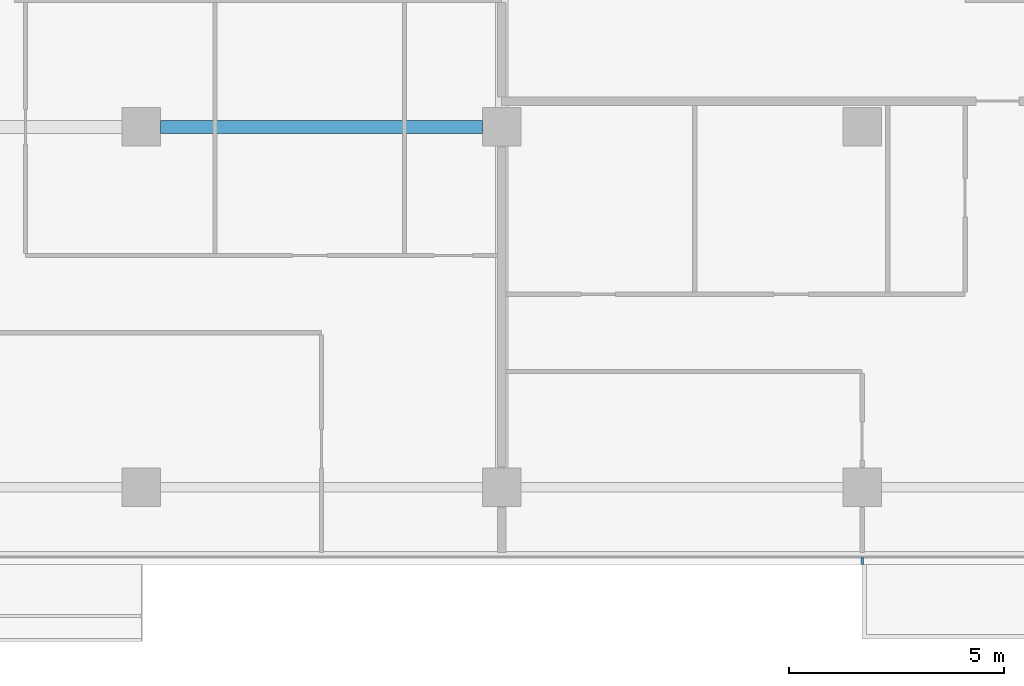
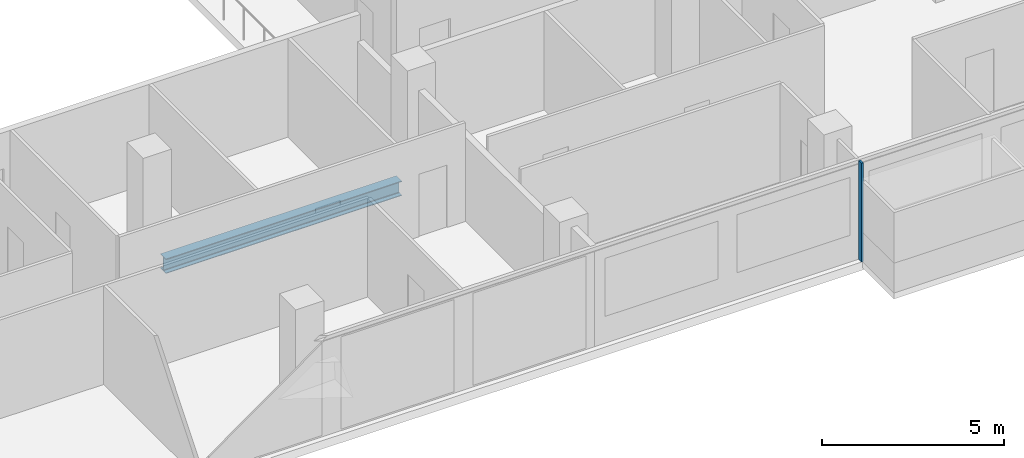
# One storey, part 6 of 26: 1 beam, 1 member, 1 element without a shape of its own.
"""IFC4 building model written with IfcOpenShell, lengths in metres."""

from ifc_helpers import new_model, si_unit, direction, frame, origin, origin_2d, place, context, subcontext, project, spatial, rectangle, i_section, extrude, material, material_profile, profile_set, type_object, element, aggregate, save


model = new_model("IFC4")

# Units and contexts
model_context = context("Model", 3, precision=1e-05, world=origin(), true_north=direction((0.0, 1.0)))
body_context = subcontext(model_context, "Body", "Model", "MODEL_VIEW")
ifc_project = project(units=[si_unit("LENGTHUNIT", "METRE"), si_unit("AREAUNIT", "SQUARE_METRE"), si_unit("VOLUMEUNIT", "CUBIC_METRE"), si_unit("PLANEANGLEUNIT", "RADIAN"), si_unit("MASSUNIT", "GRAM", prefix="KILO")], contexts=[model_context])

# Site, building, storey
site_placement = place(None, origin())
site = spatial("IfcSite", under=ifc_project, at=site_placement, CompositionType="ELEMENT")
building_placement = place(site_placement, origin())
building = spatial("IfcBuilding", under=site, at=building_placement, Name="Saffron Gate Tower", CompositionType="ELEMENT")
storey_placement = place(building_placement, frame((0.0, 0.0, 62.39990234375)))
storey = spatial("IfcBuildingStorey", under=building, at=storey_placement, Name="L14", CompositionType="ELEMENT", Elevation=62.39990234375)

# Beam
ifc_material_1 = material(Name="Structural steel S355", Category="steel")
ifc_material_profile_1 = material_profile(ifc_material_1, i_section(OverallWidth=0.300048828125, OverallDepth=0.489990234375, WebThickness=0.011962890625, FlangeThickness=0.02294921875, FilletRadius=0.027099609375, at=origin_2d()))
ifc_profile_set_1 = profile_set([ifc_material_profile_1], Name="Structural steel S355")
beam_type = type_object("IfcBeamType", Name="B8 HEA 500", PredefinedType="BEAM", material=ifc_profile_set_1)
beam_placement = place(storey_placement, frame((92.25, 40.199951171875, -0.52490234375), z_axis=(1.0, 0.0, 0.0), x_axis=(0.0, 1.0, 0.0)))
element("IfcBeam", 1, at=beam_placement, inside=storey, type_object=beam_type, Name="B8 FLOOR GIRDER", PredefinedType="BEAM", context=body_context, shape_type="SweptSolid", body=[
    extrude(i_section(OverallWidth=0.300048828125, OverallDepth=0.489990234375, WebThickness=0.011962890625, FlangeThickness=0.02294921875, FilletRadius=0.027099609375, at=origin_2d()), origin(), (0.0, 0.0, 1.0), 7.5),
])

# Curtain wall, member
ifc_material_2 = material(Name="Aluminium, bronze anodised", Category="aluminium")
curtain_wall_type = type_object("IfcCurtainWallType", Name="CWS1 curtain wall front facade", PredefinedType="NOTDEFINED", material=ifc_material_2)
curtain_wall_placement = place(storey_placement, origin())
curtain_wall = element("IfcCurtainWall", 2, at=curtain_wall_placement, inside=storey, type_object=curtain_wall_type, Name="CWS1 run 1", PredefinedType="NOTDEFINED")
ifc_material_profile_2 = material_profile(ifc_material_2, rectangle(XDim=0.159912109375, YDim=0.06005859375, at=origin_2d()))
ifc_profile_set_2 = profile_set([ifc_material_profile_2], Name="Aluminium, bronze anodised")
member_type = type_object("IfcMemberType", Name="CWS1 mullion 60x160", PredefinedType="MULLION", material=ifc_profile_set_2)
member_placement = place(storey_placement, frame((108.60009765625, 30.080078125, 0.0), z_axis=(0.0, 0.0, 1.0), x_axis=(0.0, 1.0, 0.0)))
member = element("IfcMember", 3, at=member_placement, type_object=member_type, Name="CWS1 mullion 8", PredefinedType="MULLION", context=body_context, shape_type="SweptSolid", body=[
    extrude(rectangle(XDim=0.159912109375, YDim=0.06005859375, at=origin_2d()), origin(), (0.0, 0.0, 1.0), 3.320068359375),
])
aggregate(curtain_wall, [member])

save(model, "model.ifc")
